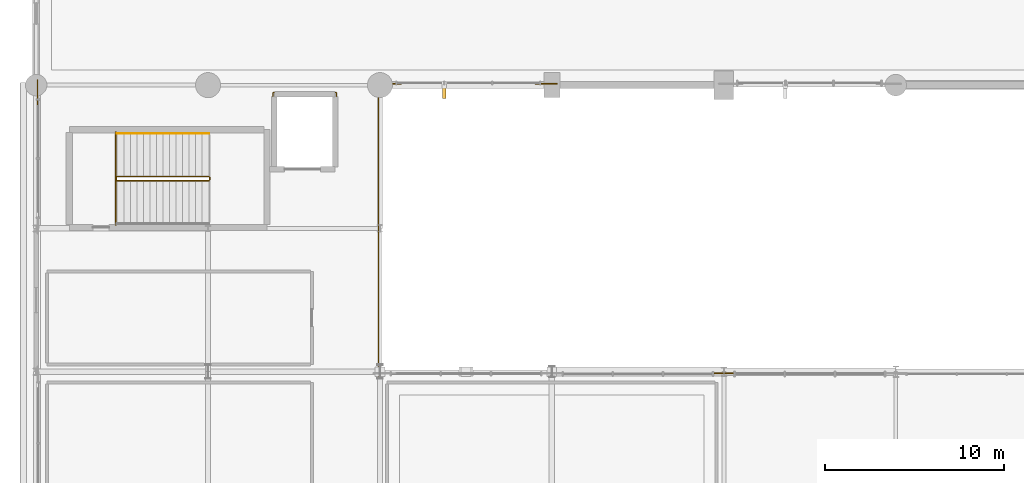
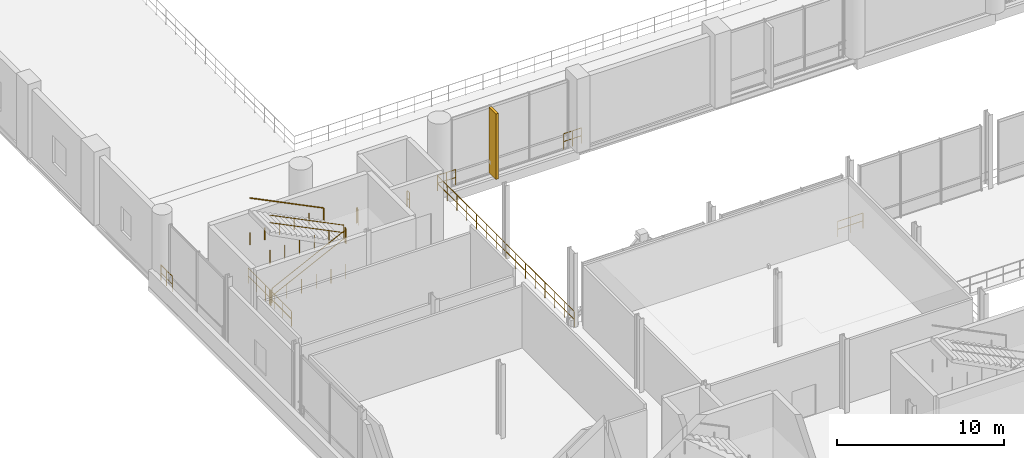
# One storey, part 108 of 129: 12 railings, 1 shading device.
"""IFC4 building model written with IfcOpenShell, lengths in metres."""

from ifc_helpers import new_model, si_unit, direction, frame, origin, origin_2d, place, context, subcontext, project, spatial, rectangle, circle, extrude, material, type_object, element, save


model = new_model("IFC4")

# Units and contexts
model_context = context("Model", 3, precision=1e-05, world=origin(), true_north=direction((0.0, 1.0)))
body_context = subcontext(model_context, "Body", "Model", "MODEL_VIEW")
ifc_project = project(units=[si_unit("LENGTHUNIT", "METRE"), si_unit("AREAUNIT", "SQUARE_METRE"), si_unit("VOLUMEUNIT", "CUBIC_METRE"), si_unit("PLANEANGLEUNIT", "RADIAN"), si_unit("MASSUNIT", "GRAM", prefix="KILO")], contexts=[model_context])

# Site, building, storey
site_placement = place(None, origin())
site = spatial("IfcSite", under=ifc_project, at=site_placement, CompositionType="ELEMENT")
building_placement = place(site_placement, origin())
building = spatial("IfcBuilding", under=site, at=building_placement, Name="Danafjord Basin Convention Centre", CompositionType="ELEMENT")
storey_placement = place(building_placement, frame((0.0, 0.0, 6.0)))
storey = spatial("IfcBuildingStorey", under=building, at=storey_placement, Name="L01", CompositionType="ELEMENT", Elevation=6.0)

# Railings
ifc_material_1 = material(Name="Laminated structural glass and stainless steel", Category="steel")
railing_type_1 = type_object("IfcRailingType", Name="RL-BAL-GLS", PredefinedType="BALUSTRADE", material=ifc_material_1)
railing_1_placement = place(storey_placement, frame((0.080078125, 54.919921875, 0.0)))
element("IfcRailing", 1, at=railing_1_placement, inside=storey, type_object=railing_type_1, Name="L01 safety guard balustrade 61", PredefinedType="BALUSTRADE", context=body_context, shape_type="SweptSolid", body=[
    extrude(circle(Radius=0.02392578125, at=origin_2d()), frame((0.0, 0.0, 1.1259765625), z_axis=(0.0, 1.0, 0.0), x_axis=(-1.0, 0.0, 0.0)), (0.0, 0.0, 1.0), 1.360107421875),
    extrude(circle(Radius=0.02392578125, at=origin_2d()), frame((0.0, 0.0, 0.55078125), z_axis=(0.0, 1.0, 0.0), x_axis=(-1.0, 0.0, 0.0)), (0.0, 0.0, 1.0), 1.360107421875),
    extrude(circle(Radius=0.02099609375, at=origin_2d()), origin(), (0.0, 0.0, 1.0), 1.099853515625),
    extrude(circle(Radius=0.02099609375, at=origin_2d()), frame((0.0, 0.68017578125, 0.0)), (0.0, 0.0, 1.0), 1.099853515625),
    extrude(circle(Radius=0.02099609375, at=origin_2d()), frame((0.0, 1.360107421875, 0.0)), (0.0, 0.0, 1.0), 1.099853515625),
])
railing_2_placement = place(storey_placement, frame((37.52001953125, 39.919921875, 0.0)))
element("IfcRailing", 2, at=railing_2_placement, inside=storey, type_object=railing_type_1, Name="L01 safety guard balustrade 90", PredefinedType="BALUSTRADE", context=body_context, shape_type="SweptSolid", body=[
    extrude(circle(Radius=0.02392578125, at=origin_2d()), frame((0.0, 0.0, 1.1259765625), z_axis=(1.0, 0.0, 0.0), x_axis=(0.0, 1.0, 0.0)), (0.0, 0.0, 1.0), 1.760009765625),
    extrude(circle(Radius=0.02392578125, at=origin_2d()), frame((0.0, 0.0, 0.55078125), z_axis=(1.0, 0.0, 0.0), x_axis=(0.0, 1.0, 0.0)), (0.0, 0.0, 1.0), 1.760009765625),
    extrude(circle(Radius=0.02099609375, at=origin_2d()), origin(), (0.0, 0.0, 1.0), 1.099853515625),
    extrude(circle(Radius=0.02099609375, at=origin_2d()), frame((0.8798828125, 0.0, 0.0)), (0.0, 0.0, 1.0), 1.099853515625),
    extrude(circle(Radius=0.02099609375, at=origin_2d()), frame((1.760009765625, 0.0, 0.0)), (0.0, 0.0, 1.0), 1.099853515625),
])
railing_3_placement = place(storey_placement, frame((29.080078125, 56.080078125, 0.0)))
element("IfcRailing", 3, at=railing_3_placement, inside=storey, type_object=railing_type_1, Name="L01 safety guard balustrade 103", PredefinedType="BALUSTRADE", context=body_context, shape_type="SweptSolid", body=[
    extrude(circle(Radius=0.02392578125, at=origin_2d()), frame((0.0, 0.0, 1.1259765625), z_axis=(-1.0, 0.0, 0.0), x_axis=(0.0, -1.0, 0.0)), (0.0, 0.0, 1.0), 1.2099609375),
    extrude(circle(Radius=0.02392578125, at=origin_2d()), frame((0.0, 0.0, 0.55078125), z_axis=(-1.0, 0.0, 0.0), x_axis=(0.0, -1.0, 0.0)), (0.0, 0.0, 1.0), 1.2099609375),
    extrude(circle(Radius=0.02099609375, at=origin_2d()), origin(), (0.0, 0.0, 1.0), 1.099853515625),
    extrude(circle(Radius=0.02099609375, at=origin_2d()), frame((-0.60498046875, 0.0, 0.0)), (0.0, 0.0, 1.0), 1.099853515625),
    extrude(circle(Radius=0.02099609375, at=origin_2d()), frame((-1.2099609375, 0.0, 0.0)), (0.0, 0.0, 1.0), 1.099853515625),
])
railing_4_placement = place(storey_placement, frame((20.3798828125, 56.080078125, 0.0)))
element("IfcRailing", 4, at=railing_4_placement, inside=storey, type_object=railing_type_1, Name="L01 safety guard balustrade 104", PredefinedType="BALUSTRADE", context=body_context, shape_type="SweptSolid", body=[
    extrude(circle(Radius=0.02392578125, at=origin_2d()), frame((0.0, 0.0, 1.1259765625), z_axis=(-1.0, 0.0, 0.0), x_axis=(0.0, -1.0, 0.0)), (0.0, 0.0, 1.0), 1.259765625),
    extrude(circle(Radius=0.02392578125, at=origin_2d()), frame((0.0, 0.0, 0.55078125), z_axis=(-1.0, 0.0, 0.0), x_axis=(0.0, -1.0, 0.0)), (0.0, 0.0, 1.0), 1.259765625),
    extrude(circle(Radius=0.02392578125, at=origin_2d()), frame((-1.259765625, 0.0, 1.1259765625), z_axis=(0.0, -1.0, 0.0), x_axis=(1.0, 0.0, 0.0)), (0.0, 0.0, 1.0), 16.440185546875),
    extrude(circle(Radius=0.02392578125, at=origin_2d()), frame((-1.259765625, 0.0, 0.55078125), z_axis=(0.0, -1.0, 0.0), x_axis=(1.0, 0.0, 0.0)), (0.0, 0.0, 1.0), 16.440185546875),
    extrude(circle(Radius=0.02099609375, at=origin_2d()), origin(), (0.0, 0.0, 1.0), 1.099853515625),
    extrude(circle(Radius=0.02099609375, at=origin_2d()), frame((-0.6298828125, 0.0, 0.0)), (0.0, 0.0, 1.0), 1.099853515625),
    extrude(circle(Radius=0.02099609375, at=origin_2d()), frame((-1.259765625, 0.0, 0.0)), (0.0, 0.0, 1.0), 1.099853515625),
    extrude(circle(Radius=0.02099609375, at=origin_2d()), frame((-1.259765625, -1.17431640625, 0.0)), (0.0, 0.0, 1.0), 1.099853515625),
    extrude(circle(Radius=0.02099609375, at=origin_2d()), frame((-1.259765625, -2.3486328125, 0.0)), (0.0, 0.0, 1.0), 1.099853515625),
    extrude(circle(Radius=0.02099609375, at=origin_2d()), frame((-1.259765625, -3.52294921875, 0.0)), (0.0, 0.0, 1.0), 1.099853515625),
    extrude(circle(Radius=0.02099609375, at=origin_2d()), frame((-1.259765625, -4.697265625, 0.0)), (0.0, 0.0, 1.0), 1.099853515625),
    extrude(circle(Radius=0.02099609375, at=origin_2d()), frame((-1.259765625, -5.87158203125, 0.0)), (0.0, 0.0, 1.0), 1.099853515625),
    extrude(circle(Radius=0.02099609375, at=origin_2d()), frame((-1.259765625, -7.0458984375, 0.0)), (0.0, 0.0, 1.0), 1.099853515625),
    extrude(circle(Radius=0.02099609375, at=origin_2d()), frame((-1.259765625, -8.22021484375, 0.0)), (0.0, 0.0, 1.0), 1.099853515625),
    extrude(circle(Radius=0.02099609375, at=origin_2d()), frame((-1.259765625, -9.394287109375, 0.0)), (0.0, 0.0, 1.0), 1.099853515625),
    extrude(circle(Radius=0.02099609375, at=origin_2d()), frame((-1.259765625, -10.568603515625, 0.0)), (0.0, 0.0, 1.0), 1.099853515625),
    extrude(circle(Radius=0.02099609375, at=origin_2d()), frame((-1.259765625, -11.742919921875, 0.0)), (0.0, 0.0, 1.0), 1.099853515625),
    extrude(circle(Radius=0.02099609375, at=origin_2d()), frame((-1.259765625, -12.917236328125, 0.0)), (0.0, 0.0, 1.0), 1.099853515625),
    extrude(circle(Radius=0.02099609375, at=origin_2d()), frame((-1.259765625, -14.091552734375, 0.0)), (0.0, 0.0, 1.0), 1.099853515625),
    extrude(circle(Radius=0.02099609375, at=origin_2d()), frame((-1.259765625, -15.265869140625, 0.0)), (0.0, 0.0, 1.0), 1.099853515625),
    extrude(circle(Radius=0.02099609375, at=origin_2d()), frame((-1.259765625, -16.440185546875, 0.0)), (0.0, 0.0, 1.0), 1.099853515625),
])
railing_5_placement = place(storey_placement, frame((13.300048828125, 55.580078125, 0.0)))
element("IfcRailing", 5, at=railing_5_placement, inside=storey, type_object=railing_type_1, Name="L01 safety guard balustrade 126", PredefinedType="BALUSTRADE", context=body_context, shape_type="SweptSolid", body=[
    extrude(circle(Radius=0.02392578125, at=origin_2d()), frame((0.0, 0.0, 1.1259765625), z_axis=(-1.0, 0.0, 0.0), x_axis=(0.0, -1.0, 0.0)), (0.0, 0.0, 1.0), 0.080078125),
    extrude(circle(Radius=0.02392578125, at=origin_2d()), frame((0.0, 0.0, 0.55078125), z_axis=(-1.0, 0.0, 0.0), x_axis=(0.0, -1.0, 0.0)), (0.0, 0.0, 1.0), 0.080078125),
    extrude(circle(Radius=0.02392578125, at=origin_2d()), frame((-0.080078125, 0.0, 1.1259765625), z_axis=(0.0, -1.0, 0.0), x_axis=(1.0, 0.0, 0.0)), (0.0, 0.0, 1.0), 0.215087890625),
    extrude(circle(Radius=0.02392578125, at=origin_2d()), frame((-0.080078125, 0.0, 0.55078125), z_axis=(0.0, -1.0, 0.0), x_axis=(1.0, 0.0, 0.0)), (0.0, 0.0, 1.0), 0.215087890625),
    extrude(circle(Radius=0.02099609375, at=origin_2d()), origin(), (0.0, 0.0, 1.0), 1.099853515625),
    extrude(circle(Radius=0.02099609375, at=origin_2d()), frame((-0.080078125, 0.0, 0.0)), (0.0, 0.0, 1.0), 1.099853515625),
    extrude(circle(Radius=0.02099609375, at=origin_2d()), frame((-0.080078125, -0.215087890625, 0.0)), (0.0, 0.0, 1.0), 1.099853515625),
])
ifc_material_2 = material(Name="Galvanised and powder-coated steel S355", Category="steel")
railing_type_2 = type_object("IfcRailingType", Name="RL-BAL-STL", PredefinedType="BALUSTRADE", material=ifc_material_2)
railing_6_placement = place(storey_placement, frame((16.780029296875, 55.364990234375, 0.0)))
element("IfcRailing", 6, at=railing_6_placement, inside=storey, type_object=railing_type_2, Name="L01 safety guard balustrade 125", PredefinedType="BALUSTRADE", context=body_context, shape_type="SweptSolid", body=[
    extrude(circle(Radius=0.02392578125, at=origin_2d()), frame((0.0, 0.0, 1.1259765625), z_axis=(0.0, 1.0, 0.0), x_axis=(-1.0, 0.0, 0.0)), (0.0, 0.0, 1.0), 0.215087890625),
    extrude(circle(Radius=0.02392578125, at=origin_2d()), frame((0.0, 0.0, 0.55078125), z_axis=(0.0, 1.0, 0.0), x_axis=(-1.0, 0.0, 0.0)), (0.0, 0.0, 1.0), 0.215087890625),
    extrude(circle(Radius=0.02392578125, at=origin_2d()), frame((0.0, 0.215087890625, 1.1259765625), z_axis=(-1.0, 0.0, 0.0), x_axis=(0.0, -1.0, 0.0)), (0.0, 0.0, 1.0), 0.080078125),
    extrude(circle(Radius=0.02392578125, at=origin_2d()), frame((0.0, 0.215087890625, 0.55078125), z_axis=(-1.0, 0.0, 0.0), x_axis=(0.0, -1.0, 0.0)), (0.0, 0.0, 1.0), 0.080078125),
    extrude(circle(Radius=0.02099609375, at=origin_2d()), origin(), (0.0, 0.0, 1.0), 1.099853515625),
    extrude(circle(Radius=0.02099609375, at=origin_2d()), frame((0.0, 0.215087890625, 0.0)), (0.0, 0.0, 1.0), 1.099853515625),
    extrude(circle(Radius=0.02099609375, at=origin_2d()), frame((-0.080078125, 0.215087890625, 0.0)), (0.0, 0.0, 1.0), 1.099853515625),
])
railing_7_placement = place(storey_placement, frame((4.449951171875, 53.375, 0.0)))
element("IfcRailing", 7, at=railing_7_placement, inside=storey, type_object=railing_type_2, Name="L01 safety guard balustrade 127", PredefinedType="BALUSTRADE", context=body_context, shape_type="SweptSolid", body=[
    extrude(circle(Radius=0.02392578125, at=origin_2d()), frame((0.0, 0.0, 1.1259765625), z_axis=(0.0, -1.0, 0.0), x_axis=(1.0, 0.0, 0.0)), (0.0, 0.0, 1.0), 5.18994140625),
    extrude(circle(Radius=0.02392578125, at=origin_2d()), frame((0.0, 0.0, 0.55078125), z_axis=(0.0, -1.0, 0.0), x_axis=(1.0, 0.0, 0.0)), (0.0, 0.0, 1.0), 5.18994140625),
    extrude(circle(Radius=0.02099609375, at=origin_2d()), origin(), (0.0, 0.0, 1.0), 1.099853515625),
    extrude(circle(Radius=0.02099609375, at=origin_2d()), frame((0.0, -1.0380859375, 0.0)), (0.0, 0.0, 1.0), 1.099853515625),
    extrude(circle(Radius=0.02099609375, at=origin_2d()), frame((0.0, -2.075927734375, 0.0)), (0.0, 0.0, 1.0), 1.099853515625),
    extrude(circle(Radius=0.02099609375, at=origin_2d()), frame((0.0, -3.114013671875, 0.0)), (0.0, 0.0, 1.0), 1.099853515625),
    extrude(circle(Radius=0.02099609375, at=origin_2d()), frame((0.0, -4.15185546875, 0.0)), (0.0, 0.0, 1.0), 1.099853515625),
    extrude(circle(Radius=0.02099609375, at=origin_2d()), frame((0.0, -5.18994140625, 0.0)), (0.0, 0.0, 1.0), 1.099853515625),
])
ifc_material_3 = material(Name="Galvanised steel S355", Category="steel")
railing_type_3 = type_object("IfcRailingType", Name="RL-GD-WELL", PredefinedType="BALUSTRADE", material=ifc_material_3)
railing_8_placement = place(storey_placement, frame((4.530029296875, 50.659912109375, 0.179931640625)))
element("IfcRailing", 8, at=railing_8_placement, inside=storey, type_object=railing_type_3, Name="L01 ST-07 stair guard 1", PredefinedType="BALUSTRADE", context=body_context, shape_type="SweptSolid", body=[
    extrude(circle(Radius=0.02392578125, at=origin_2d()), frame((0.0, 0.0, 1.076171875), z_axis=(0.89686481642, 0.0, 0.442304760396), x_axis=(0.0, 1.0, 0.0)), (0.0, 0.0, 1.0), 5.697509765625),
    extrude(circle(Radius=0.02392578125, at=origin_2d()), frame((0.0, 0.0, 0.52587890625), z_axis=(0.89686481642, 0.0, 0.442304760396), x_axis=(0.0, 1.0, 0.0)), (0.0, 0.0, 1.0), 5.697509765625),
    extrude(circle(Radius=0.02099609375, at=origin_2d()), origin(), (0.0, 0.0, 1.0), 1.050048828125),
    extrude(circle(Radius=0.02099609375, at=origin_2d()), frame((1.02197265625, 0.0, 0.0)), (0.0, 0.0, 1.0), 1.050048828125),
    extrude(circle(Radius=0.02099609375, at=origin_2d()), frame((2.0439453125, 0.0, 0.0)), (0.0, 0.0, 1.0), 1.050048828125),
    extrude(circle(Radius=0.02099609375, at=origin_2d()), frame((3.06591796875, 0.0, 0.0)), (0.0, 0.0, 1.0), 1.050048828125),
    extrude(circle(Radius=0.02099609375, at=origin_2d()), frame((4.087890625, 0.0, 0.0)), (0.0, 0.0, 1.0), 1.050048828125),
    extrude(circle(Radius=0.02099609375, at=origin_2d()), frame((5.10986328125, 0.0, 0.0)), (0.0, 0.0, 1.0), 1.050048828125),
])
railing_9_placement = place(storey_placement, frame((9.68994140625, 50.7099609375, 2.699951171875)))
element("IfcRailing", 9, at=railing_9_placement, inside=storey, type_object=railing_type_3, Name="L01 ST-07 stair guard 2", PredefinedType="BALUSTRADE", context=body_context, shape_type="SweptSolid", body=[
    extrude(circle(Radius=0.02392578125, at=origin_2d()), frame((0.0, 0.0, 1.076171875), z_axis=(0.0, 1.0, 0.0), x_axis=(-1.0, 0.0, 0.0)), (0.0, 0.0, 1.0), 0.14013671875),
    extrude(circle(Radius=0.02392578125, at=origin_2d()), frame((0.0, 0.0, 0.52587890625), z_axis=(0.0, 1.0, 0.0), x_axis=(-1.0, 0.0, 0.0)), (0.0, 0.0, 1.0), 0.14013671875),
    extrude(circle(Radius=0.02099609375, at=origin_2d()), origin(), (0.0, 0.0, 1.0), 1.050048828125),
    extrude(circle(Radius=0.02099609375, at=origin_2d()), frame((0.0, 0.14013671875, 0.0)), (0.0, 0.0, 1.0), 1.050048828125),
])
railing_10_placement = place(storey_placement, frame((9.639892578125, 50.89990234375, 2.8798828125)))
element("IfcRailing", 10, at=railing_10_placement, inside=storey, type_object=railing_type_3, Name="L01 ST-07 stair guard 3", PredefinedType="BALUSTRADE", context=body_context, shape_type="SweptSolid", body=[
    extrude(circle(Radius=0.02392578125, at=origin_2d()), frame((0.0, 0.0, 1.076171875), z_axis=(-0.89686481642, 0.0, 0.442304760396), x_axis=(0.0, -1.0, 0.0)), (0.0, 0.0, 1.0), 5.697509765625),
    extrude(circle(Radius=0.02392578125, at=origin_2d()), frame((0.0, 0.0, 0.52587890625), z_axis=(-0.89686481642, 0.0, 0.442304760396), x_axis=(0.0, -1.0, 0.0)), (0.0, 0.0, 1.0), 5.697509765625),
    extrude(circle(Radius=0.02099609375, at=origin_2d()), origin(), (0.0, 0.0, 1.0), 1.050048828125),
    extrude(circle(Radius=0.02099609375, at=origin_2d()), frame((-1.02197265625, 0.0, 0.0)), (0.0, 0.0, 1.0), 1.050048828125),
    extrude(circle(Radius=0.02099609375, at=origin_2d()), frame((-2.0439453125, 0.0, 0.0)), (0.0, 0.0, 1.0), 1.050048828125),
    extrude(circle(Radius=0.02099609375, at=origin_2d()), frame((-3.06591796875, 0.0, 0.0)), (0.0, 0.0, 1.0), 1.050048828125),
    extrude(circle(Radius=0.02099609375, at=origin_2d()), frame((-4.087890625, 0.0, 0.0)), (0.0, 0.0, 1.0), 1.050048828125),
    extrude(circle(Radius=0.02099609375, at=origin_2d()), frame((-5.10986328125, 0.0, 0.0)), (0.0, 0.0, 1.0), 1.050048828125),
])
railing_11_placement = place(storey_placement, frame((4.47998046875, 50.7099609375, 0.0)))
element("IfcRailing", 11, at=railing_11_placement, inside=storey, type_object=railing_type_3, Name="L01 ST-07 stair guard 4", PredefinedType="BALUSTRADE", context=body_context, shape_type="SweptSolid", body=[
    extrude(circle(Radius=0.02392578125, at=origin_2d()), frame((0.0, 0.0, 1.076171875), z_axis=(0.0, 1.0, 0.0), x_axis=(-1.0, 0.0, 0.0)), (0.0, 0.0, 1.0), 0.14013671875),
    extrude(circle(Radius=0.02392578125, at=origin_2d()), frame((0.0, 0.0, 0.52587890625), z_axis=(0.0, 1.0, 0.0), x_axis=(-1.0, 0.0, 0.0)), (0.0, 0.0, 1.0), 0.14013671875),
    extrude(circle(Radius=0.02099609375, at=origin_2d()), origin(), (0.0, 0.0, 1.0), 1.050048828125),
    extrude(circle(Radius=0.02099609375, at=origin_2d()), frame((0.0, 0.14013671875, 0.0)), (0.0, 0.0, 1.0), 1.050048828125),
])
ifc_material_4 = material(Name="Brushed stainless steel EN 1.4404", Category="steel")
railing_type_4 = type_object("IfcRailingType", Name="RL-HR-STAIR", PredefinedType="HANDRAIL", material=ifc_material_4)
railing_12_placement = place(storey_placement, frame((9.639892578125, 53.300048828125, 2.8798828125)))
element("IfcRailing", 12, at=railing_12_placement, inside=storey, type_object=railing_type_4, Name="L01 ST-07 stair handrail 2", PredefinedType="HANDRAIL", context=body_context, shape_type="SweptSolid", body=[
    extrude(circle(Radius=0.02392578125, at=origin_2d()), frame((0.0, 0.0, 0.8759765625), z_axis=(-0.89686481642, 0.0, 0.442304760396), x_axis=(0.0, -1.0, 0.0)), (0.0, 0.0, 1.0), 5.697509765625),
    extrude(circle(Radius=0.02099609375, at=origin_2d()), origin(), (0.0, 0.0, 1.0), 0.849853515625),
    extrude(circle(Radius=0.02099609375, at=origin_2d()), frame((-1.02197265625, 0.0, 0.0)), (0.0, 0.0, 1.0), 0.849853515625),
    extrude(circle(Radius=0.02099609375, at=origin_2d()), frame((-2.0439453125, 0.0, 0.0)), (0.0, 0.0, 1.0), 0.849853515625),
    extrude(circle(Radius=0.02099609375, at=origin_2d()), frame((-3.06591796875, 0.0, 0.0)), (0.0, 0.0, 1.0), 0.849853515625),
    extrude(circle(Radius=0.02099609375, at=origin_2d()), frame((-4.087890625, 0.0, 0.0)), (0.0, 0.0, 1.0), 0.849853515625),
    extrude(circle(Radius=0.02099609375, at=origin_2d()), frame((-5.10986328125, 0.0, 0.0)), (0.0, 0.0, 1.0), 0.849853515625),
])

# Shading device
ifc_material_5 = material(Name="Architectural white precast concrete C45/55", Category="concrete")
shading_device_type = type_object("IfcShadingDeviceType", Name="SHD-FIN-A", PredefinedType="USERDEFINED", material=ifc_material_5)
shading_device_placement = place(storey_placement, frame((22.783203125, 55.679931640625, 0.080078125), z_axis=(0.0, 0.0, 1.0), x_axis=(1.0, 0.0, 0.0)))
element("IfcShadingDevice", 13, at=shading_device_placement, inside=storey, type_object=shading_device_type, Name="L01 architectural precast solar fin 2", ObjectType="FIN", PredefinedType="USERDEFINED", context=body_context, shape_type="SweptSolid", body=[
    extrude(rectangle(XDim=0.179931640625, YDim=0.840087890625, at=origin_2d()), origin(), (0.0, 0.0, 1.0), 4.7900390625),
])

save(model, "model.ifc")
